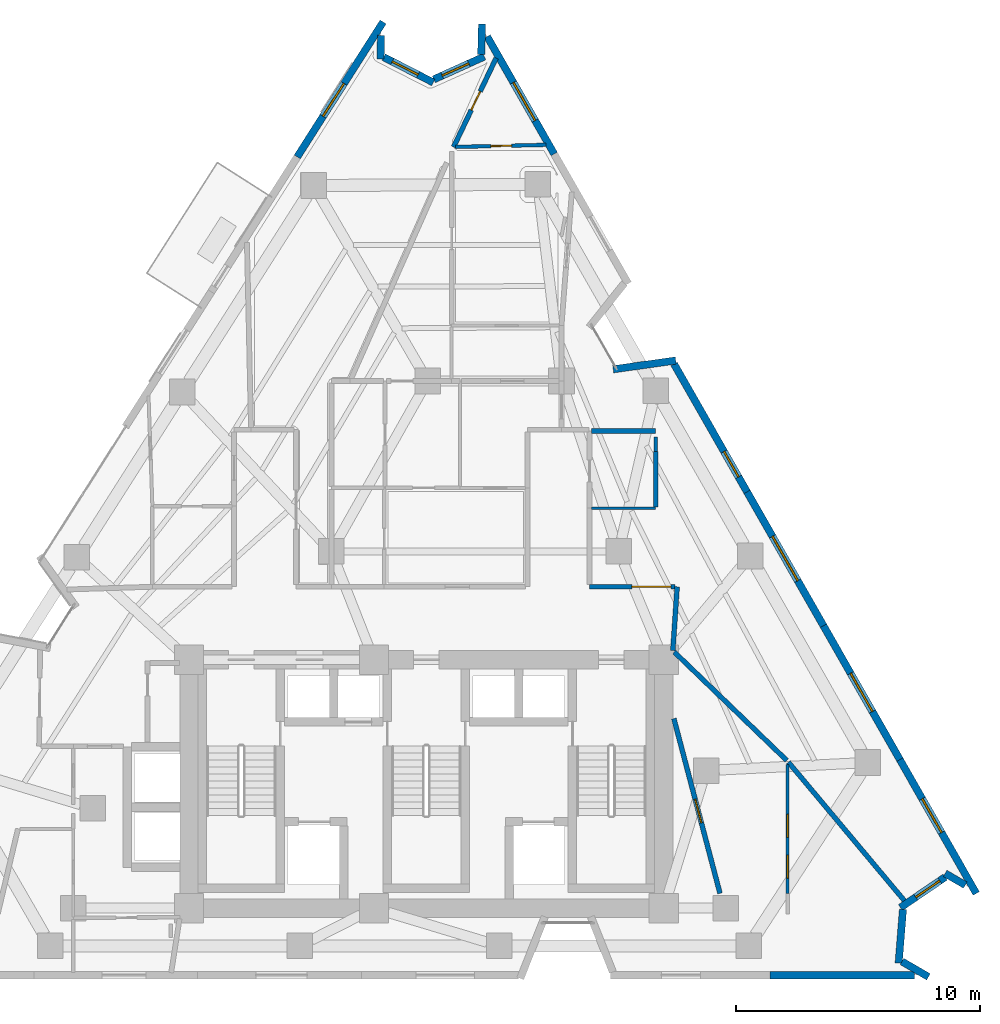
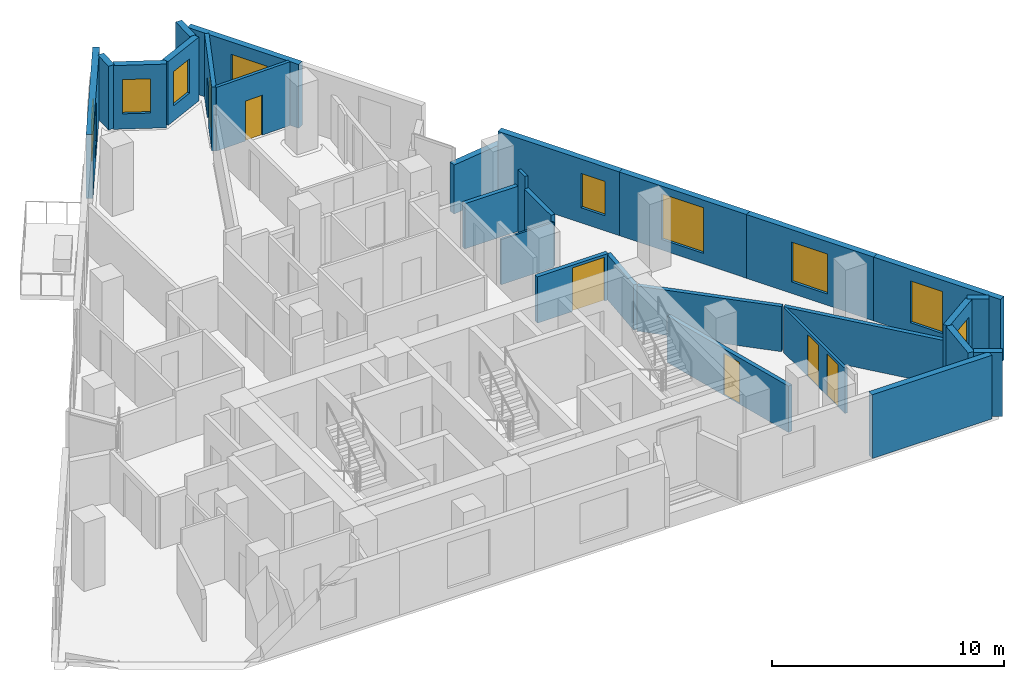
# One storey, part 8 of 11: 28 walls, 9 windows, 6 doors, 15 openings.
"""IFC4 building model written with IfcOpenShell, lengths in metres."""

from ifc_helpers import new_model, si_unit, direction, frame, frame_2d, origin, place, context, subcontext, project, spatial, rectangle, extrude, material, layer, layer_set, type_object, element, fill, save


model = new_model("IFC4")

# Units and contexts
model_context = context("Model", 3, precision=1e-05, world=origin(), true_north=direction((0.0, 1.0)))
body_context = subcontext(model_context, "Body", "Model", "MODEL_VIEW")
ifc_project = project(units=[si_unit("LENGTHUNIT", "METRE"), si_unit("AREAUNIT", "SQUARE_METRE"), si_unit("VOLUMEUNIT", "CUBIC_METRE"), si_unit("PLANEANGLEUNIT", "RADIAN"), si_unit("MASSUNIT", "GRAM", prefix="KILO")], contexts=[model_context])

# Site, building, storey
site_placement = place(None, origin())
site = spatial("IfcSite", under=ifc_project, at=site_placement, CompositionType="ELEMENT")
building_placement = place(site_placement, origin())
building = spatial("IfcBuilding", under=site, at=building_placement, Name="Almagre Mirador Tower", CompositionType="ELEMENT")
storey_placement = place(building_placement, frame((0.0, 0.0, 135.60009765625)))
storey = spatial("IfcBuildingStorey", under=building, at=storey_placement, Name="L34", CompositionType="ELEMENT", Elevation=135.60009765625)

# Wall, opening, window
ifc_material_1 = material(Name="Precast concrete C50/60", Category="concrete")
ifc_layer_1 = layer(ifc_material_1, 0.300048828125)
ifc_layer_set_1 = layer_set([ifc_layer_1], Name="Precast concrete C50/60")
wall_type_1 = type_object("IfcWallType", Name="WAL-EXT-300", PredefinedType="SOLIDWALL", material=ifc_layer_set_1)
wall_1_placement = place(storey_placement, frame((31.997802734375, 35.403076171875, 0.0), z_axis=(0.0, 0.0, 1.0), x_axis=(0.537115953095, 0.843508419004, 0.0)))
wall_1 = element("IfcWall", 1, at=wall_1_placement, inside=storey, type_object=wall_type_1, Name="L34 expressed almagre precast frame wall 05", PredefinedType="SOLIDWALL", context=body_context, shape_type="SweptSolid", body=[
    extrude(rectangle(XDim=6.569091796875, YDim=0.300048828125, at=frame_2d((3.28466796875, 0.0))), origin(), (0.0, 0.0, 1.0), 3.349853515625),
])
opening_1_placement = place(wall_1_placement, frame((1.97509765625, 0.0, 0.550048828125)))
opening_1 = element("IfcOpeningElement", 2, at=opening_1_placement, cuts=wall_1, Name="Opening WN-06", PredefinedType="OPENING", context=body_context, shape_type="SweptSolid", body=[
    extrude(rectangle(XDim=1.60009765625, YDim=2.199951171875, at=frame_2d((0.800048828125, 1.10009765625))), frame((0.0, 0.159902, 0.0), z_axis=(0.0, -1.0, 0.0), x_axis=(1.0, 0.0, 0.0)), (0.0, 0.0, 1.0), 0.320049),
])
ifc_material_2 = material(Name="Dark solar-control laminated hurricane glass", Category="glass")
window_type_1 = type_object("IfcWindowType", Name="WIN-1600X2200", PartitioningType="DOUBLE_PANEL_VERTICAL", PredefinedType="WINDOW", material=ifc_material_2)
window_1_placement = place(opening_1_placement, origin())
window_1 = element("IfcWindow", 3, at=window_1_placement, inside=storey, type_object=window_type_1, Name="L34 recessed hurricane window L34-RST-J", OverallHeight=2.199951171875, OverallWidth=1.60009765625, PartitioningType="SINGLE_PANEL", PredefinedType="WINDOW", context=body_context, shape_type="SweptSolid", body=[
    extrude(rectangle(XDim=1.60009765625, YDim=2.199951171875, at=frame_2d((0.800048828125, 1.10009765625))), frame((0.0, 0.030029296875, 0.0), z_axis=(0.0, -1.0, 0.0), x_axis=(1.0, 0.0, 0.0)), (0.0, 0.0, 1.0), 0.06005859375),
])
fill(opening_1, window_1)

# Wall
wall_2_placement = place(storey_placement, frame((35.44091796875, 40.396240234375, 0.0), z_axis=(0.0, 0.0, 1.0), x_axis=(-0.023898557354, -0.999714388691, 0.0)))
element("IfcWall", 4, at=wall_2_placement, inside=storey, type_object=wall_type_1, Name="L34 expressed almagre precast frame wall 06", PredefinedType="SOLIDWALL", context=body_context, shape_type="SweptSolid", body=[
    extrude(rectangle(XDim=0.970458984375, YDim=0.300048828125, at=frame_2d((0.4853515625, 0.0))), origin(), (0.0, 0.0, 1.0), 3.349853515625),
])

# Wall, opening, window
wall_3_placement = place(storey_placement, frame((35.545654296875, 39.502197265625, 0.0), z_axis=(0.0, 0.0, 1.0), x_axis=(0.890388661124, -0.455201089786, 0.0)))
wall_3 = element("IfcWall", 5, at=wall_3_placement, inside=storey, type_object=wall_type_1, Name="L34 expressed almagre precast frame wall 07", PredefinedType="SOLIDWALL", context=body_context, shape_type="SweptSolid", body=[
    extrude(rectangle(XDim=2.29345703125, YDim=0.300048828125, at=frame_2d((1.146728515625, 0.0))), origin(), (0.0, 0.0, 1.0), 3.349853515625),
])
opening_2_placement = place(wall_3_placement, frame((0.39501953125, 0.0, 0.800048828125)))
opening_2 = element("IfcOpeningElement", 6, at=opening_2_placement, cuts=wall_3, Name="Opening WN-04", PredefinedType="OPENING", context=body_context, shape_type="SweptSolid", body=[
    extrude(rectangle(XDim=1.199951171875, YDim=1.800048828125, at=frame_2d((0.60009765625, 0.89990234375))), frame((0.0, 0.159902, 0.0), z_axis=(0.0, -1.0, 0.0), x_axis=(1.0, 0.0, 0.0)), (0.0, 0.0, 1.0), 0.320049),
])
ifc_material_3 = material(Name="Dark solar-control laminated hurricane glass", Category="glass")
window_type_2 = type_object("IfcWindowType", Name="WIN-1200X1800", PartitioningType="SINGLE_PANEL", PredefinedType="WINDOW", material=ifc_material_3)
window_2_placement = place(opening_2_placement, origin())
window_2 = element("IfcWindow", 7, at=window_2_placement, inside=storey, type_object=window_type_2, Name="L34 recessed hurricane window L34-RST-J", OverallHeight=1.800048828125, OverallWidth=1.199951171875, PartitioningType="SINGLE_PANEL", PredefinedType="WINDOW", context=body_context, shape_type="SweptSolid", body=[
    extrude(rectangle(XDim=1.199951171875, YDim=1.800048828125, at=frame_2d((0.60009765625, 0.89990234375))), frame((0.0, 0.030029296875, 0.0), z_axis=(0.0, -1.0, 0.0), x_axis=(1.0, 0.0, 0.0)), (0.0, 0.0, 1.0), 0.06005859375),
])
fill(opening_2, window_2)

wall_4_placement = place(storey_placement, frame((37.604248046875, 38.585693359375, 0.0), z_axis=(0.0, 0.0, 1.0), x_axis=(0.911256421967, 0.411839451029, 0.0)))
wall_4 = element("IfcWall", 8, at=wall_4_placement, inside=storey, type_object=wall_type_1, Name="L34 expressed almagre precast frame wall 08", PredefinedType="SOLIDWALL", context=body_context, shape_type="SweptSolid", body=[
    extrude(rectangle(XDim=2.277587890625, YDim=0.300048828125, at=frame_2d((1.138671875, 0.0))), origin(), (0.0, 0.0, 1.0), 3.349853515625),
])
opening_3_placement = place(wall_4_placement, frame((0.3798828125, 0.0, 0.800048828125)))
opening_3 = element("IfcOpeningElement", 9, at=opening_3_placement, cuts=wall_4, Name="Opening WN-04", PredefinedType="OPENING", context=body_context, shape_type="SweptSolid", body=[
    extrude(rectangle(XDim=1.199951171875, YDim=1.800048828125, at=frame_2d((0.60009765625, 0.89990234375))), frame((0.0, 0.159902, 0.0), z_axis=(0.0, -1.0, 0.0), x_axis=(1.0, 0.0, 0.0)), (0.0, 0.0, 1.0), 0.320049),
])
window_3_placement = place(opening_3_placement, origin())
window_3 = element("IfcWindow", 10, at=window_3_placement, inside=storey, type_object=window_type_2, Name="L34 recessed hurricane window L34-RST-J", OverallHeight=1.800048828125, OverallWidth=1.199951171875, PartitioningType="SINGLE_PANEL", PredefinedType="WINDOW", context=body_context, shape_type="SweptSolid", body=[
    extrude(rectangle(XDim=1.199951171875, YDim=1.800048828125, at=frame_2d((0.60009765625, 0.89990234375))), frame((0.0, 0.030029296875, 0.0), z_axis=(0.0, -1.0, 0.0), x_axis=(1.0, 0.0, 0.0)), (0.0, 0.0, 1.0), 0.06005859375),
])
fill(opening_3, window_3)

# Wall
wall_5_placement = place(storey_placement, frame((39.555419921875, 39.60595703125, 0.0), z_axis=(0.0, 0.0, 1.0), x_axis=(0.024600187161, 0.999697369603, 0.0)))
element("IfcWall", 11, at=wall_5_placement, inside=storey, type_object=wall_type_1, Name="L34 expressed almagre precast frame wall 09", PredefinedType="SOLIDWALL", context=body_context, shape_type="SweptSolid", body=[
    extrude(rectangle(XDim=1.260498046875, YDim=0.300048828125, at=frame_2d((0.63037109375, 0.0))), origin(), (0.0, 0.0, 1.0), 3.349853515625),
])

# Wall, opening, window
wall_6_placement = place(storey_placement, frame((39.798583984375, 40.34814453125, 0.0), z_axis=(0.0, 0.0, 1.0), x_axis=(0.495693940787, -0.868497275222, 0.0)))
wall_6 = element("IfcWall", 12, at=wall_6_placement, inside=storey, type_object=wall_type_1, Name="L34 expressed almagre precast frame wall 10", PredefinedType="SOLIDWALL", context=body_context, shape_type="SweptSolid", body=[
    extrude(rectangle(XDim=5.5546875, YDim=0.300048828125, at=frame_2d((2.77734375, 0.0))), origin(), (0.0, 0.0, 1.0), 3.349853515625),
])
opening_4_placement = place(wall_6_placement, frame((2.175048828125, 0.0, 0.60009765625)))
opening_4 = element("IfcOpeningElement", 13, at=opening_4_placement, cuts=wall_6, Name="Opening WN-01", PredefinedType="OPENING", context=body_context, shape_type="SweptSolid", body=[
    extrude(rectangle(XDim=1.800048828125, YDim=2.10009765625, at=frame_2d((0.89990234375, 1.050048828125))), frame((0.0, 0.159902, 0.0), z_axis=(0.0, -1.0, 0.0), x_axis=(1.0, 0.0, 0.0)), (0.0, 0.0, 1.0), 0.320049),
])
ifc_material_4 = material(Name="Dark solar-control laminated hurricane glass", Category="glass")
window_type_3 = type_object("IfcWindowType", Name="WIN-1800X2100", PartitioningType="DOUBLE_PANEL_VERTICAL", PredefinedType="WINDOW", material=ifc_material_4)
window_4_placement = place(opening_4_placement, origin())
window_4 = element("IfcWindow", 14, at=window_4_placement, inside=storey, type_object=window_type_3, Name="L34 recessed hurricane window L34-UK-HB", OverallHeight=2.10009765625, OverallWidth=1.800048828125, PartitioningType="SINGLE_PANEL", PredefinedType="WINDOW", context=body_context, shape_type="SweptSolid", body=[
    extrude(rectangle(XDim=1.800048828125, YDim=2.10009765625, at=frame_2d((0.89990234375, 1.050048828125))), frame((0.0, 0.030029296875, 0.0), z_axis=(0.0, -1.0, 0.0), x_axis=(1.0, 0.0, 0.0)), (0.0, 0.0, 1.0), 0.06005859375),
])
fill(opening_4, window_4)

# Wall
wall_7_placement = place(storey_placement, frame((44.974365234375, 26.679443359375, 0.0), z_axis=(0.0, 0.0, 1.0), x_axis=(0.990207636063, 0.139602426493, 0.0)))
element("IfcWall", 15, at=wall_7_placement, inside=storey, type_object=wall_type_1, Name="L34 expressed almagre precast frame wall 13", PredefinedType="SOLIDWALL", context=body_context, shape_type="SweptSolid", body=[
    extrude(rectangle(XDim=2.593505859375, YDim=0.300048828125, at=frame_2d((1.296875, 0.0))), origin(), (0.0, 0.0, 1.0), 2.574951171875),
])

# Wall, opening, window
wall_8_placement = place(storey_placement, frame((47.470947265625, 26.90478515625, 0.0), z_axis=(0.0, 0.0, 1.0), x_axis=(0.495678614701, -0.86850602239, 0.0)))
wall_8 = element("IfcWall", 16, at=wall_8_placement, inside=storey, type_object=wall_type_1, Name="L34 expressed almagre precast frame wall 14", PredefinedType="SOLIDWALL", context=body_context, shape_type="SweptSolid", body=[
    extrude(rectangle(XDim=6.05517578125, YDim=0.300048828125, at=frame_2d((3.027587890625, 0.0))), origin(), (0.0, 0.0, 1.0), 3.349853515625),
])
opening_5_placement = place(wall_8_placement, frame((4.14990234375, 0.0, 0.800048828125)))
opening_5 = element("IfcOpeningElement", 17, at=opening_5_placement, cuts=wall_8, Name="Opening WN-04", PredefinedType="OPENING", context=body_context, shape_type="SweptSolid", body=[
    extrude(rectangle(XDim=1.199951171875, YDim=1.800048828125, at=frame_2d((0.60009765625, 0.89990234375))), frame((0.0, 0.159902, 0.0), z_axis=(0.0, -1.0, 0.0), x_axis=(1.0, 0.0, 0.0)), (0.0, 0.0, 1.0), 0.320049),
])
window_5_placement = place(opening_5_placement, origin())
window_5 = element("IfcWindow", 18, at=window_5_placement, inside=storey, type_object=window_type_2, Name="L34 recessed hurricane window L34-UH-BT", OverallHeight=1.800048828125, OverallWidth=1.199951171875, PartitioningType="SINGLE_PANEL", PredefinedType="WINDOW", context=body_context, shape_type="SweptSolid", body=[
    extrude(rectangle(XDim=1.199951171875, YDim=1.800048828125, at=frame_2d((0.60009765625, 0.89990234375))), frame((0.0, 0.030029296875, 0.0), z_axis=(0.0, -1.0, 0.0), x_axis=(1.0, 0.0, 0.0)), (0.0, 0.0, 1.0), 0.06005859375),
])
fill(opening_5, window_5)

wall_9_placement = place(storey_placement, frame((50.472412109375, 21.645751953125, 0.0), z_axis=(0.0, 0.0, 1.0), x_axis=(0.495731860518, -0.868475631476, 0.0)))
wall_9 = element("IfcWall", 19, at=wall_9_placement, inside=storey, type_object=wall_type_1, Name="L34 expressed almagre precast frame wall 15", PredefinedType="SOLIDWALL", context=body_context, shape_type="SweptSolid", body=[
    extrude(rectangle(XDim=6.330322265625, YDim=0.300048828125, at=frame_2d((3.1650390625, 0.0))), origin(), (0.0, 0.0, 1.0), 3.349853515625),
])
opening_6_placement = place(wall_9_placement, frame((2.10009765625, 0.0, 0.550048828125)))
opening_6 = element("IfcOpeningElement", 20, at=opening_6_placement, cuts=wall_9, Name="Opening WN-05", PredefinedType="OPENING", context=body_context, shape_type="SweptSolid", body=[
    extrude(rectangle(XDim=2.10009765625, YDim=2.39990234375, at=frame_2d((1.050048828125, 1.199951171875))), frame((0.0, 0.159902, 0.0), z_axis=(0.0, -1.0, 0.0), x_axis=(1.0, 0.0, 0.0)), (0.0, 0.0, 1.0), 0.320049),
])
ifc_material_5 = material(Name="Dark solar-control laminated hurricane glass", Category="glass")
window_type_4 = type_object("IfcWindowType", Name="WIN-2100X2400", PartitioningType="DOUBLE_PANEL_VERTICAL", PredefinedType="WINDOW", material=ifc_material_5)
window_6_placement = place(opening_6_placement, origin())
window_6 = element("IfcWindow", 21, at=window_6_placement, inside=storey, type_object=window_type_4, Name="L34 recessed hurricane window L34-RST-E", OverallHeight=2.39990234375, OverallWidth=2.10009765625, PartitioningType="SINGLE_PANEL", PredefinedType="WINDOW", context=body_context, shape_type="SweptSolid", body=[
    extrude(rectangle(XDim=2.10009765625, YDim=2.39990234375, at=frame_2d((1.050048828125, 1.199951171875))), frame((0.0, 0.030029296875, 0.0), z_axis=(0.0, -1.0, 0.0), x_axis=(1.0, 0.0, 0.0)), (0.0, 0.0, 1.0), 0.06005859375),
])
fill(opening_6, window_6)

wall_10_placement = place(storey_placement, frame((53.610595703125, 16.14794921875, 0.0), z_axis=(0.0, 0.0, 1.0), x_axis=(0.495702771017, -0.868492235317, 0.0)))
wall_10 = element("IfcWall", 22, at=wall_10_placement, inside=storey, type_object=wall_type_1, Name="L34 expressed almagre precast frame wall 16", PredefinedType="SOLIDWALL", context=body_context, shape_type="SweptSolid", body=[
    extrude(rectangle(XDim=6.330322265625, YDim=0.300048828125, at=frame_2d((3.1650390625, 0.0))), origin(), (0.0, 0.0, 1.0), 3.349853515625),
])
opening_7_placement = place(wall_10_placement, frame((2.25, 0.0, 0.60009765625)))
opening_7 = element("IfcOpeningElement", 23, at=opening_7_placement, cuts=wall_10, Name="Opening WN-01", PredefinedType="OPENING", context=body_context, shape_type="SweptSolid", body=[
    extrude(rectangle(XDim=1.800048828125, YDim=2.10009765625, at=frame_2d((0.89990234375, 1.050048828125))), frame((0.0, 0.159902, 0.0), z_axis=(0.0, -1.0, 0.0), x_axis=(1.0, 0.0, 0.0)), (0.0, 0.0, 1.0), 0.320049),
])
window_7_placement = place(opening_7_placement, origin())
window_7 = element("IfcWindow", 24, at=window_7_placement, inside=storey, type_object=window_type_3, Name="L34 recessed hurricane window L34-RST-E", OverallHeight=2.10009765625, OverallWidth=1.800048828125, PartitioningType="SINGLE_PANEL", PredefinedType="WINDOW", context=body_context, shape_type="SweptSolid", body=[
    extrude(rectangle(XDim=1.800048828125, YDim=2.10009765625, at=frame_2d((0.89990234375, 1.050048828125))), frame((0.0, 0.030029296875, 0.0), z_axis=(0.0, -1.0, 0.0), x_axis=(1.0, 0.0, 0.0)), (0.0, 0.0, 1.0), 0.06005859375),
])
fill(opening_7, window_7)

wall_11_placement = place(storey_placement, frame((56.74853515625, 10.650146484375, 0.0), z_axis=(0.0, 0.0, 1.0), x_axis=(0.495702771017, -0.868492235317, 0.0)))
wall_11 = element("IfcWall", 25, at=wall_11_placement, inside=storey, type_object=wall_type_1, Name="L34 expressed almagre precast frame wall 17", PredefinedType="SOLIDWALL", context=body_context, shape_type="SweptSolid", body=[
    extrude(rectangle(XDim=6.330322265625, YDim=0.300048828125, at=frame_2d((3.1650390625, 0.0))), origin(), (0.0, 0.0, 1.0), 3.349853515625),
])
opening_8_placement = place(wall_11_placement, frame((1.85009765625, 0.0, 0.550048828125)))
opening_8 = element("IfcOpeningElement", 26, at=opening_8_placement, cuts=wall_11, Name="Opening WN-06", PredefinedType="OPENING", context=body_context, shape_type="SweptSolid", body=[
    extrude(rectangle(XDim=1.60009765625, YDim=2.199951171875, at=frame_2d((0.800048828125, 1.10009765625))), frame((0.0, 0.159902, 0.0), z_axis=(0.0, -1.0, 0.0), x_axis=(1.0, 0.0, 0.0)), (0.0, 0.0, 1.0), 0.320049),
])
window_8_placement = place(opening_8_placement, origin())
window_8 = element("IfcWindow", 27, at=window_8_placement, inside=storey, type_object=window_type_1, Name="L34 recessed hurricane window L34-RST-E", OverallHeight=2.199951171875, OverallWidth=1.60009765625, PartitioningType="SINGLE_PANEL", PredefinedType="WINDOW", context=body_context, shape_type="SweptSolid", body=[
    extrude(rectangle(XDim=1.60009765625, YDim=2.199951171875, at=frame_2d((0.800048828125, 1.10009765625))), frame((0.0, 0.030029296875, 0.0), z_axis=(0.0, -1.0, 0.0), x_axis=(1.0, 0.0, 0.0)), (0.0, 0.0, 1.0), 0.06005859375),
])
fill(opening_8, window_8)

# Wall
wall_12_placement = place(storey_placement, frame((59.432373046875, 5.49755859375, 0.0), z_axis=(0.0, 0.0, 1.0), x_axis=(-0.864584698218, 0.502487113871, 0.0)))
element("IfcWall", 28, at=wall_12_placement, inside=storey, type_object=wall_type_1, Name="L34 expressed almagre precast frame wall 18", PredefinedType="SOLIDWALL", context=body_context, shape_type="SweptSolid", body=[
    extrude(rectangle(XDim=0.954833984375, YDim=0.300048828125, at=frame_2d((0.4775390625, 0.0))), origin(), (0.0, 0.0, 1.0), 3.349853515625),
])

# Wall, opening, window
wall_13_placement = place(storey_placement, frame((58.6083984375, 5.8251953125, 0.0), z_axis=(0.0, 0.0, 1.0), x_axis=(-0.8261738865, -0.563415219234, 0.0)))
wall_13 = element("IfcWall", 29, at=wall_13_placement, inside=storey, type_object=wall_type_1, Name="L34 expressed almagre precast frame wall 19", PredefinedType="SOLIDWALL", context=body_context, shape_type="SweptSolid", body=[
    extrude(rectangle(XDim=2.222412109375, YDim=0.300048828125, at=frame_2d((1.111328125, 0.0))), origin(), (0.0, 0.0, 1.0), 3.349853515625),
])
opening_9_placement = place(wall_13_placement, frame((0.264892578125, 0.0, 0.800048828125)))
opening_9 = element("IfcOpeningElement", 30, at=opening_9_placement, cuts=wall_13, Name="Opening WN-04", PredefinedType="OPENING", context=body_context, shape_type="SweptSolid", body=[
    extrude(rectangle(XDim=1.199951171875, YDim=1.800048828125, at=frame_2d((0.60009765625, 0.89990234375))), frame((0.0, 0.159902, 0.0), z_axis=(0.0, -1.0, 0.0), x_axis=(1.0, 0.0, 0.0)), (0.0, 0.0, 1.0), 0.320049),
])
window_9_placement = place(opening_9_placement, origin())
window_9 = element("IfcWindow", 31, at=window_9_placement, inside=storey, type_object=window_type_2, Name="L34 recessed hurricane window L34-RST-E", OverallHeight=1.800048828125, OverallWidth=1.199951171875, PartitioningType="SINGLE_PANEL", PredefinedType="WINDOW", context=body_context, shape_type="SweptSolid", body=[
    extrude(rectangle(XDim=1.199951171875, YDim=1.800048828125, at=frame_2d((0.60009765625, 0.89990234375))), frame((0.0, 0.030029296875, 0.0), z_axis=(0.0, -1.0, 0.0), x_axis=(1.0, 0.0, 0.0)), (0.0, 0.0, 1.0), 0.06005859375),
])
fill(opening_9, window_9)

# Walls
wall_14_placement = place(storey_placement, frame((56.8759765625, 4.50244140625, 0.0), z_axis=(0.0, 0.0, 1.0), x_axis=(-0.079981668757, -0.996796334595, 0.0)))
element("IfcWall", 32, at=wall_14_placement, inside=storey, type_object=wall_type_1, Name="L34 expressed almagre precast frame wall 20", PredefinedType="SOLIDWALL", context=body_context, shape_type="SweptSolid", body=[
    extrude(rectangle(XDim=2.216064453125, YDim=0.300048828125, at=frame_2d((1.10791015625, 0.0))), origin(), (0.0, 0.0, 1.0), 3.349853515625),
])
wall_15_placement = place(storey_placement, frame((56.83544921875, 2.360107421875, 0.0), z_axis=(0.0, 0.0, 1.0), x_axis=(0.864799842676, -0.502116751471, 0.0)))
element("IfcWall", 33, at=wall_15_placement, inside=storey, type_object=wall_type_1, Name="L34 expressed almagre precast frame wall 21", PredefinedType="SOLIDWALL", context=body_context, shape_type="SweptSolid", body=[
    extrude(rectangle(XDim=1.25537109375, YDim=0.300048828125, at=frame_2d((0.627685546875, 0.0))), origin(), (0.0, 0.0, 1.0), 3.349853515625),
])
wall_16_placement = place(storey_placement, frame((57.35498046875, 1.800048828125, 0.0), z_axis=(0.0, 0.0, 1.0), x_axis=(-1.0, 0.0, 0.0)))
element("IfcWall", 34, at=wall_16_placement, inside=storey, type_object=wall_type_1, Name="L34 expressed almagre precast frame wall 22", PredefinedType="SOLIDWALL", context=body_context, shape_type="SweptSolid", body=[
    extrude(rectangle(XDim=5.948974609375, YDim=0.300048828125, at=frame_2d((2.974609375, 0.0))), origin(), (0.0, 0.0, 1.0), 3.349853515625),
])
ifc_material_6 = material(Name="Gypsum acoustic stud partition", Category="other")
ifc_layer_2 = layer(ifc_material_6, 0.10009765625)
ifc_layer_set_2 = layer_set([ifc_layer_2], Name="Gypsum acoustic stud partition")
wall_type_2 = type_object("IfcWallType", Name="WAL-PRT-100-CLS", PredefinedType="PARTITIONING", material=ifc_layer_set_2)
wall_17_placement = place(storey_placement, frame((46.719970703125, 20.97998046875, 0.0), z_axis=(0.0, 0.0, 1.0), x_axis=(-1.0, 0.0, 0.0)))
element("IfcWall", 35, at=wall_17_placement, inside=storey, type_object=wall_type_2, Name="L34 interior partition 035", PredefinedType="PARTITIONING", context=body_context, shape_type="SweptSolid", body=[
    extrude(rectangle(XDim=2.635009765625, YDim=0.10009765625, at=frame_2d((1.3173828125, 0.0))), origin(), (0.0, 0.0, 1.0), 2.371826171875),
])

# Wall, openings, doors
ifc_material_7 = material(Name="Gypsum acoustic stud partition", Category="other")
ifc_layer_3 = layer(ifc_material_7, 0.125)
ifc_layer_set_3 = layer_set([ifc_layer_3], Name="Gypsum acoustic stud partition")
wall_type_3 = type_object("IfcWallType", Name="WAL-PRT-125-UTL", PredefinedType="PARTITIONING", material=ifc_layer_set_3)
wall_18_placement = place(storey_placement, frame((52.139892578125, 5.159912109375, 0.0), z_axis=(0.0, 0.0, 1.0), x_axis=(0.0, 1.0, 0.0)))
wall_18 = element("IfcWall", 36, at=wall_18_placement, inside=storey, type_object=wall_type_3, Name="L34 interior partition 030", PredefinedType="PARTITIONING", context=body_context, shape_type="SweptSolid", body=[
    extrude(rectangle(XDim=5.280029296875, YDim=0.125, at=frame_2d((2.64013671875, 0.0))), origin(), (0.0, 0.0, 1.0), 2.371826171875),
])
opening_10_placement = place(wall_18_placement, frame((2.294921875, 0.0, 0.0)))
opening_10 = element("IfcOpeningElement", 37, at=opening_10_placement, cuts=wall_18, Name="Opening UD-01", PredefinedType="OPENING", context=body_context, shape_type="SweptSolid", body=[
    extrude(rectangle(XDim=0.949951171875, YDim=2.199951171875, at=frame_2d((0.47509765625, 1.10009765625))), frame((0.0, 0.0725, 0.0), z_axis=(0.0, -1.0, 0.0), x_axis=(1.0, 0.0, 0.0)), (0.0, 0.0, 1.0), 0.145),
])
opening_11_placement = place(wall_18_placement, frame((0.618896484375, 0.0, 0.0)))
opening_11 = element("IfcOpeningElement", 38, at=opening_11_placement, cuts=wall_18, Name="Opening UD-01", PredefinedType="OPENING", context=body_context, shape_type="SweptSolid", body=[
    extrude(rectangle(XDim=0.949951171875, YDim=2.199951171875, at=frame_2d((0.47509765625, 1.10009765625))), frame((0.0, 0.0725, 0.0), z_axis=(0.0, -1.0, 0.0), x_axis=(1.0, 0.0, 0.0)), (0.0, 0.0, 1.0), 0.145),
])
ifc_material_8 = material(Name="Solid American walnut timber", Category="wood")
door_type_1 = type_object("IfcDoorType", Name="DOR-UNR-950X2200", OperationType="NOTDEFINED", PredefinedType="DOOR", material=ifc_material_8)
door_1_placement = place(opening_10_placement, origin())
door_1 = element("IfcDoor", 39, at=door_1_placement, inside=storey, type_object=door_type_1, Name="DR-1114 L34 interior door L34-UD-ST to L34-UD-KT", OperationType="SINGLE_SWING_LEFT", OverallHeight=2.199951171875, OverallWidth=0.949951171875, PredefinedType="DOOR", context=body_context, shape_type="SweptSolid", body=[
    extrude(rectangle(XDim=0.949951171875, YDim=2.199951171875, at=frame_2d((0.47509765625, 1.10009765625))), frame((0.0, 0.02490234375, 0.0), z_axis=(0.0, -1.0, 0.0), x_axis=(1.0, 0.0, 0.0)), (0.0, 0.0, 1.0), 0.050048828125),
])
fill(opening_10, door_1)
door_2_placement = place(opening_11_placement, origin())
door_2 = element("IfcDoor", 40, at=door_2_placement, inside=storey, type_object=door_type_1, Name="DR-1129 L34 interior door L34-UD-ST to L34-UD-KT", OperationType="SINGLE_SWING_LEFT", OverallHeight=2.199951171875, OverallWidth=0.949951171875, PredefinedType="DOOR", context=body_context, shape_type="SweptSolid", body=[
    extrude(rectangle(XDim=0.949951171875, YDim=2.199951171875, at=frame_2d((0.47509765625, 1.10009765625))), frame((0.0, 0.02490234375, 0.0), z_axis=(0.0, -1.0, 0.0), x_axis=(1.0, 0.0, 0.0)), (0.0, 0.0, 1.0), 0.050048828125),
])
fill(opening_11, door_2)

# Wall, opening, door
ifc_material_9 = material(Name="Gypsum acoustic stud partition", Category="other")
ifc_layer_4 = layer(ifc_material_9, 0.14990234375)
ifc_layer_set_4 = layer_set([ifc_layer_4], Name="Gypsum acoustic stud partition")
wall_type_4 = type_object("IfcWallType", Name="WAL-PRT-150-STD", PredefinedType="PARTITIONING", material=ifc_layer_set_4)
wall_19_placement = place(storey_placement, frame((42.20703125, 35.89697265625, 0.0), z_axis=(0.0, 0.0, 1.0), x_axis=(-0.999733740531, -0.023074835742, 0.0)))
wall_19 = element("IfcWall", 41, at=wall_19_placement, inside=storey, type_object=wall_type_4, Name="L34 interior partition 061", PredefinedType="PARTITIONING", context=body_context, shape_type="SweptSolid", body=[
    extrude(rectangle(XDim=3.703125, YDim=0.14990234375, at=frame_2d((1.8515625, 0.0))), origin(), (0.0, 0.0, 1.0), 3.349853515625),
])
opening_12_placement = place(wall_19_placement, frame((1.4033203125, 0.0, 0.0)))
opening_12 = element("IfcOpeningElement", 42, at=opening_12_placement, cuts=wall_19, Name="Opening UD-04", PredefinedType="OPENING", context=body_context, shape_type="SweptSolid", body=[
    extrude(rectangle(XDim=0.85009765625, YDim=2.10009765625, at=frame_2d((0.425048828125, 1.050048828125))), frame((0.0, 0.084951, 0.0), z_axis=(0.0, -1.0, 0.0), x_axis=(1.0, 0.0, 0.0)), (0.0, 0.0, 1.0), 0.169902),
])
ifc_material_10 = material(Name="Moisture-resistant oak timber", Category="wood")
door_type_2 = type_object("IfcDoorType", Name="DOR-UNR-850X2100", OperationType="NOTDEFINED", PredefinedType="DOOR", material=ifc_material_10)
door_3_placement = place(opening_12_placement, origin())
door_3 = element("IfcDoor", 43, at=door_3_placement, inside=storey, type_object=door_type_2, Name="DR-1124 L34 interior door L34-UK-LV to L34-UK-HB", OperationType="SINGLE_SWING_RIGHT", OverallHeight=2.10009765625, OverallWidth=0.85009765625, PredefinedType="DOOR", context=body_context, shape_type="SweptSolid", body=[
    extrude(rectangle(XDim=0.85009765625, YDim=2.10009765625, at=frame_2d((0.425048828125, 1.050048828125))), frame((0.0, 0.02490234375, 0.0), z_axis=(0.0, -1.0, 0.0), x_axis=(1.0, 0.0, 0.0)), (0.0, 0.0, 1.0), 0.050048828125),
])
fill(opening_12, door_3)

# Walls
wall_20_placement = place(storey_placement, frame((46.719970703125, 23.31005859375, 0.0), z_axis=(0.0, 0.0, 1.0), x_axis=(0.0, 1.0, 0.0)))
element("IfcWall", 44, at=wall_20_placement, inside=storey, type_object=wall_type_4, Name="L34 interior partition 070", PredefinedType="PARTITIONING", context=body_context, shape_type="SweptSolid", body=[
    extrude(rectangle(XDim=0.58984375, YDim=0.14990234375, at=frame_2d((0.294921875, 0.0))), origin(), (0.0, 0.0, 1.0), 3.349853515625),
])
ifc_material_11 = material(Name="Gypsum acoustic stud partition", Category="other")
ifc_layer_5 = layer(ifc_material_11, 0.199951171875)
ifc_layer_set_5 = layer_set([ifc_layer_5], Name="Gypsum acoustic stud partition")
wall_type_5 = type_object("IfcWallType", Name="WAL-PRT-200-EI60", PredefinedType="PARTITIONING", material=ifc_layer_set_5)
wall_21_placement = place(storey_placement, frame((47.425048828125, 15.125, 0.0), z_axis=(0.0, 0.0, 1.0), x_axis=(0.066537488357, 0.997783925829, 0.0)))
element("IfcWall", 45, at=wall_21_placement, inside=storey, type_object=wall_type_5, Name="L34 interior partition 004", PredefinedType="PARTITIONING", context=body_context, shape_type="SweptSolid", body=[
    extrude(rectangle(XDim=2.630859375, YDim=0.199951171875, at=frame_2d((1.3154296875, 0.0))), origin(), (0.0, 0.0, 1.0), 2.371826171875),
])

# Wall, opening, door
wall_22_placement = place(storey_placement, frame((47.514892578125, 17.75, 0.0), z_axis=(0.0, 0.0, 1.0), x_axis=(-1.0, 0.0, 0.0)))
wall_22 = element("IfcWall", 46, at=wall_22_placement, inside=storey, type_object=wall_type_5, Name="L34 interior partition 005", PredefinedType="PARTITIONING", context=body_context, shape_type="SweptSolid", body=[
    extrude(rectangle(XDim=3.514892578125, YDim=0.199951171875, at=frame_2d((1.75732421875, 0.0))), origin(), (0.0, 0.0, 1.0), 2.435791015625),
])
opening_13_placement = place(wall_22_placement, frame((0.169677734375, 0.0, 0.0)))
opening_13 = element("IfcOpeningElement", 47, at=opening_13_placement, cuts=wall_22, Name="Opening ID-05", PredefinedType="OPENING", context=body_context, shape_type="SweptSolid", body=[
    extrude(rectangle(XDim=1.60009765625, YDim=2.300048828125, at=frame_2d((0.800048828125, 1.14990234375))), frame((0.0, 0.110098, 0.0), z_axis=(0.0, -1.0, 0.0), x_axis=(1.0, 0.0, 0.0)), (0.0, 0.0, 1.0), 0.219951),
])
ifc_material_12 = material(Name="Fire-rated acoustic timber", Category="wood")
door_type_3 = type_object("IfcDoorType", Name="DOR-FD60-1600X2300", OperationType="DOUBLE_DOOR_SINGLE_SWING", PredefinedType="DOOR", material=ifc_material_12)
door_4_placement = place(opening_13_placement, origin())
door_4 = element("IfcDoor", 48, at=door_4_placement, inside=storey, type_object=door_type_3, Name="DR-1107 L34 interior door L34-RCOR to L34-RST-E", OperationType="DOUBLE_DOOR_SINGLE_SWING", OverallHeight=2.300048828125, OverallWidth=1.60009765625, PredefinedType="DOOR", context=body_context, shape_type="SweptSolid", body=[
    extrude(rectangle(XDim=1.60009765625, YDim=2.300048828125, at=frame_2d((0.800048828125, 1.14990234375))), frame((0.0, 0.02490234375, 0.0), z_axis=(0.0, -1.0, 0.0), x_axis=(1.0, 0.0, 0.0)), (0.0, 0.0, 1.0), 0.050048828125),
])
fill(opening_13, door_4)

wall_23_placement = place(storey_placement, frame((49.360107421875, 5.159912109375, 0.0), z_axis=(0.0, 0.0, 1.0), x_axis=(-0.255255926347, 0.966873524337, 0.0)))
wall_23 = element("IfcWall", 49, at=wall_23_placement, inside=storey, type_object=wall_type_5, Name="L34 interior partition 029", PredefinedType="PARTITIONING", context=body_context, shape_type="SweptSolid", body=[
    extrude(rectangle(XDim=7.421142578125, YDim=0.199951171875, at=frame_2d((3.71044921875, 0.0))), origin(), (0.0, 0.0, 1.0), 2.435791015625),
])
opening_14_placement = place(wall_23_placement, frame((2.993408203125, 0.0, 0.0)))
opening_14 = element("IfcOpeningElement", 50, at=opening_14_placement, cuts=wall_23, Name="Opening ID-01", PredefinedType="OPENING", context=body_context, shape_type="SweptSolid", body=[
    extrude(rectangle(XDim=1.0, YDim=2.199951171875, at=frame_2d((0.5, 1.10009765625))), frame((0.0, 0.110098, 0.0), z_axis=(0.0, -1.0, 0.0), x_axis=(1.0, 0.0, 0.0)), (0.0, 0.0, 1.0), 0.219951),
])
ifc_material_13 = material(Name="Fire-rated walnut timber", Category="wood")
door_type_4 = type_object("IfcDoorType", Name="DOR-FD60-1000X2200", OperationType="NOTDEFINED", PredefinedType="DOOR", material=ifc_material_13)
door_5_placement = place(opening_14_placement, origin())
door_5 = element("IfcDoor", 51, at=door_5_placement, inside=storey, type_object=door_type_4, Name="DR-1128 L34 interior door L34-UB-ST to L34-UD-ST", OperationType="SINGLE_SWING_RIGHT", OverallHeight=2.199951171875, OverallWidth=1.0, PredefinedType="DOOR", context=body_context, shape_type="SweptSolid", body=[
    extrude(rectangle(XDim=1.0, YDim=2.199951171875, at=frame_2d((0.5, 1.10009765625))), frame((0.0, 0.02490234375, 0.0), z_axis=(0.0, -1.0, 0.0), x_axis=(1.0, 0.0, 0.0)), (0.0, 0.0, 1.0), 0.050048828125),
])
fill(opening_14, door_5)

# Walls
wall_24_placement = place(storey_placement, frame((52.105712890625, 10.613037109375, 0.0), z_axis=(0.0, 0.0, 1.0), x_axis=(-0.719981442313, 0.693993316052, 0.0)))
element("IfcWall", 52, at=wall_24_placement, inside=storey, type_object=wall_type_5, Name="L34 interior partition 032", PredefinedType="PARTITIONING", context=body_context, shape_type="SweptSolid", body=[
    extrude(rectangle(XDim=6.416259765625, YDim=0.199951171875, at=frame_2d((3.2080078125, 0.0))), origin(), (0.0, 0.0, 1.0), 2.371826171875),
])
wall_25_placement = place(storey_placement, frame((56.945068359375, 4.843017578125, 0.0), z_axis=(0.0, 0.0, 1.0), x_axis=(-0.642074908455, 0.766641905933, 0.0)))
element("IfcWall", 53, at=wall_25_placement, inside=storey, type_object=wall_type_5, Name="L34 interior partition 034", PredefinedType="PARTITIONING", context=body_context, shape_type="SweptSolid", body=[
    extrude(rectangle(XDim=7.43603515625, YDim=0.199951171875, at=frame_2d((3.718017578125, 0.0))), origin(), (0.0, 0.0, 1.0), 2.371826171875),
])
wall_26_placement = place(storey_placement, frame((44.0849609375, 24.139892578125, 0.0), z_axis=(0.0, 0.0, 1.0), x_axis=(1.0, 0.0, 0.0)))
element("IfcWall", 54, at=wall_26_placement, inside=storey, type_object=wall_type_5, Name="L34 interior partition 055", PredefinedType="PARTITIONING", context=body_context, shape_type="SweptSolid", body=[
    extrude(rectangle(XDim=2.635009765625, YDim=0.199951171875, at=frame_2d((1.3173828125, 0.0))), origin(), (0.0, 0.0, 1.0), 2.371826171875),
])
wall_27_placement = place(storey_placement, frame((46.719970703125, 21.014892578125, 0.0), z_axis=(0.0, 0.0, 1.0), x_axis=(0.0, 1.0, 0.0)))
element("IfcWall", 55, at=wall_27_placement, inside=storey, type_object=wall_type_5, Name="L34 interior partition 056", PredefinedType="PARTITIONING", context=body_context, shape_type="SweptSolid", body=[
    extrude(rectangle(XDim=2.295166015625, YDim=0.199951171875, at=frame_2d((1.1474609375, 0.0))), origin(), (0.0, 0.0, 1.0), 2.708984375),
])

# Wall, opening, door
wall_28_placement = place(storey_placement, frame((38.419921875, 35.81005859375, 0.0), z_axis=(0.0, 0.0, 1.0), x_axis=(0.431758464621, 0.901989261703, 0.0)))
wall_28 = element("IfcWall", 56, at=wall_28_placement, inside=storey, type_object=wall_type_5, Name="L34 interior partition 059", PredefinedType="PARTITIONING", context=body_context, shape_type="SweptSolid", body=[
    extrude(rectangle(XDim=4.048583984375, YDim=0.199951171875, at=frame_2d((2.0244140625, 0.0))), origin(), (0.0, 0.0, 1.0), 3.349853515625),
])
opening_15_placement = place(wall_28_placement, frame((1.68212890625, 0.0, 0.0)))
opening_15 = element("IfcOpeningElement", 57, at=opening_15_placement, cuts=wall_28, Name="Opening UD-04", PredefinedType="OPENING", context=body_context, shape_type="SweptSolid", body=[
    extrude(rectangle(XDim=0.85009765625, YDim=2.10009765625, at=frame_2d((0.425048828125, 1.050048828125))), frame((0.0, 0.110098, 0.0), z_axis=(0.0, -1.0, 0.0), x_axis=(1.0, 0.0, 0.0)), (0.0, 0.0, 1.0), 0.219951),
])
door_6_placement = place(opening_15_placement, origin())
door_6 = element("IfcDoor", 58, at=door_6_placement, inside=storey, type_object=door_type_2, Name="DR-1130 L34 interior door L34-UK-HB to L34-RST-J", OperationType="SINGLE_SWING_LEFT", OverallHeight=2.10009765625, OverallWidth=0.85009765625, PredefinedType="DOOR", context=body_context, shape_type="SweptSolid", body=[
    extrude(rectangle(XDim=0.85009765625, YDim=2.10009765625, at=frame_2d((0.425048828125, 1.050048828125))), frame((0.0, 0.02490234375, 0.0), z_axis=(0.0, -1.0, 0.0), x_axis=(1.0, 0.0, 0.0)), (0.0, 0.0, 1.0), 0.050048828125),
])
fill(opening_15, door_6)

save(model, "model.ifc")
